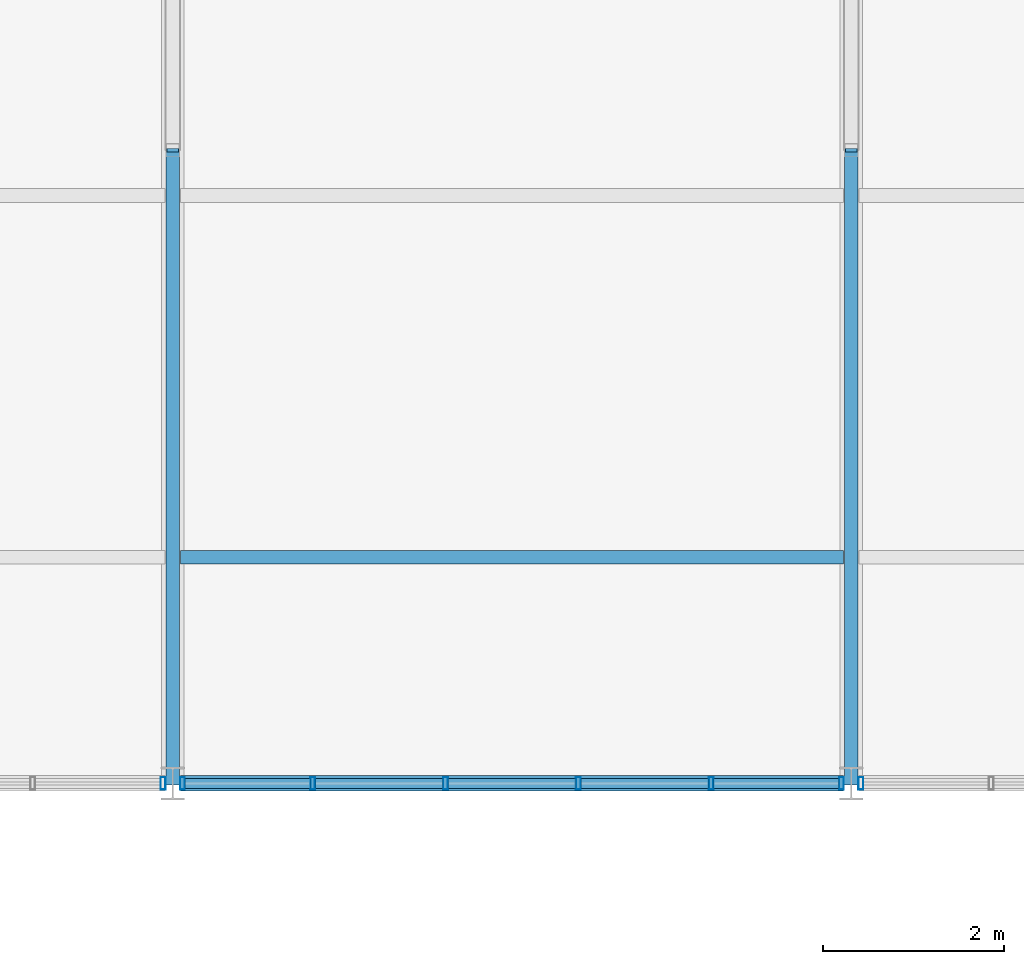
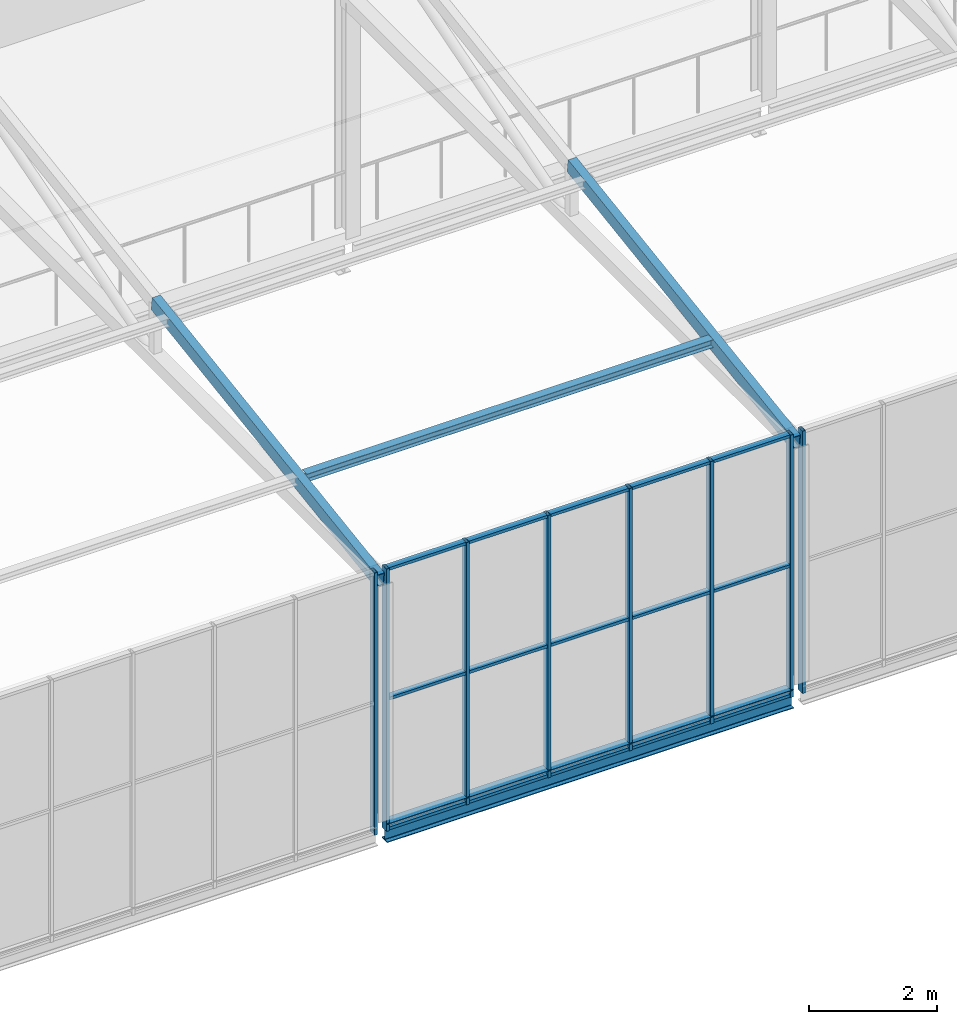
# One storey, part 35 of 104: 25 members, 2 beams, 3 elements without a shape of their own.
"""IFC4 building model written with IfcOpenShell, lengths in metres."""

from ifc_helpers import new_model, si_unit, direction, frame, origin, origin_2d, place, context, subcontext, project, spatial, hollow_rectangle, i_section, extrude, material, layer, layer_set, material_profile, profile_set, type_object, element, aggregate, save


model = new_model("IFC4")

# Units and contexts
model_context = context("Model", 3, precision=1e-05, world=origin(), true_north=direction((0.0, 1.0)))
body_context = subcontext(model_context, "Body", "Model", "MODEL_VIEW")
ifc_project = project(units=[si_unit("LENGTHUNIT", "METRE"), si_unit("AREAUNIT", "SQUARE_METRE"), si_unit("VOLUMEUNIT", "CUBIC_METRE"), si_unit("PLANEANGLEUNIT", "RADIAN"), si_unit("MASSUNIT", "GRAM", prefix="KILO")], contexts=[model_context])

# Site, building, storey
site_placement = place(None, origin())
site = spatial("IfcSite", under=ifc_project, at=site_placement, CompositionType="ELEMENT")
building_placement = place(site_placement, origin())
building = spatial("IfcBuilding", under=site, at=building_placement, Name="Solvenia Promenade Tram Depot", CompositionType="ELEMENT")
storey_placement = place(building_placement, frame((0.0, 0.0, 9.0)))
storey = spatial("IfcBuildingStorey", under=building, at=storey_placement, Name="L02", CompositionType="ELEMENT", Elevation=9.0)

# Curtain wall, member
ifc_material_1 = material(Name="Anodized aluminium AW-6063 T6", Category="aluminium")
ifc_layer = layer(ifc_material_1, 0.080078125, Name="Anodized aluminium AW-6063 T6", Category="aluminium")
ifc_layer_set = layer_set([ifc_layer], Name="Anodized aluminium AW-6063 T6")
curtain_wall_type = type_object("IfcCurtainWallType", Name="CW-Clerest-1500", PredefinedType="NOTDEFINED", material=ifc_layer_set)
curtain_wall_1_placement = place(storey_placement, origin())
curtain_wall_1 = element("IfcCurtainWall", 1, at=curtain_wall_1_placement, inside=storey, type_object=curtain_wall_type, Name="Curtain Wall CW-V2S-L2-02", PredefinedType="NOTDEFINED")
ifc_material_profile_1 = material_profile(ifc_material_1, hollow_rectangle(XDim=0.139892578125, YDim=0.054931640625, WallThickness=0.00390625, at=origin_2d()), Name="ALU-M4", Category="aluminium")
ifc_profile_set_1 = profile_set([ifc_material_profile_1], Name="Anodized aluminium AW-6063 T6")
member_type_1 = type_object("IfcMemberType", Name="CWM-Mullion-4", PredefinedType="MULLION", material=ifc_profile_set_1)
member_1_placement = place(storey_placement, frame((119.892578125, 24.0, -0.300048828125), z_axis=(0.0, 0.0, 1.0), x_axis=(0.0, 1.0, 0.0)))
member_1 = element("IfcMember", 2, at=member_1_placement, type_object=member_type_1, Name="CW-4 mullion 6", PredefinedType="MULLION", context=body_context, shape_type="SweptSolid", body=[
    extrude(hollow_rectangle(XDim=0.139892578125, YDim=0.054931640625, WallThickness=0.00390625, at=origin_2d()), origin(), (0.0, 0.0, 1.0), 5.0),
])
aggregate(curtain_wall_1, [member_1])

# Curtain wall, members
curtain_wall_2_placement = place(storey_placement, origin())
curtain_wall_2 = element("IfcCurtainWall", 3, at=curtain_wall_2_placement, inside=storey, type_object=curtain_wall_type, Name="Curtain Wall CW-V2S-L2-03", PredefinedType="NOTDEFINED")
member_2_placement = place(storey_placement, frame((120.107421875, 24.0, -0.300048828125), z_axis=(0.0, 0.0, 1.0), x_axis=(0.0, 1.0, 0.0)))
member_2 = element("IfcMember", 4, at=member_2_placement, type_object=member_type_1, Name="CW-4 mullion 1", PredefinedType="MULLION", context=body_context, shape_type="SweptSolid", body=[
    extrude(hollow_rectangle(XDim=0.139892578125, YDim=0.054931640625, WallThickness=0.00390625, at=origin_2d()), origin(), (0.0, 0.0, 1.0), 5.0),
])
member_3_placement = place(storey_placement, frame((121.548095703125, 24.0, -0.300048828125), z_axis=(0.0, 0.0, 1.0), x_axis=(0.0, 1.0, 0.0)))
member_3 = element("IfcMember", 5, at=member_3_placement, type_object=member_type_1, Name="CW-4 mullion 2", PredefinedType="MULLION", context=body_context, shape_type="SweptSolid", body=[
    extrude(hollow_rectangle(XDim=0.139892578125, YDim=0.054931640625, WallThickness=0.00390625, at=origin_2d()), origin(), (0.0, 0.0, 1.0), 5.0),
])
member_4_placement = place(storey_placement, frame((123.01611328125, 24.0, -0.300048828125), z_axis=(0.0, 0.0, 1.0), x_axis=(0.0, 1.0, 0.0)))
member_4 = element("IfcMember", 6, at=member_4_placement, type_object=member_type_1, Name="CW-4 mullion 3", PredefinedType="MULLION", context=body_context, shape_type="SweptSolid", body=[
    extrude(hollow_rectangle(XDim=0.139892578125, YDim=0.054931640625, WallThickness=0.00390625, at=origin_2d()), origin(), (0.0, 0.0, 1.0), 5.0),
])
member_5_placement = place(storey_placement, frame((124.48388671875, 24.0, -0.300048828125), z_axis=(0.0, 0.0, 1.0), x_axis=(0.0, 1.0, 0.0)))
member_5 = element("IfcMember", 7, at=member_5_placement, type_object=member_type_1, Name="CW-4 mullion 4", PredefinedType="MULLION", context=body_context, shape_type="SweptSolid", body=[
    extrude(hollow_rectangle(XDim=0.139892578125, YDim=0.054931640625, WallThickness=0.00390625, at=origin_2d()), origin(), (0.0, 0.0, 1.0), 5.0),
])
member_6_placement = place(storey_placement, frame((125.951904296875, 24.0, -0.300048828125), z_axis=(0.0, 0.0, 1.0), x_axis=(0.0, 1.0, 0.0)))
member_6 = element("IfcMember", 8, at=member_6_placement, type_object=member_type_1, Name="CW-4 mullion 5", PredefinedType="MULLION", context=body_context, shape_type="SweptSolid", body=[
    extrude(hollow_rectangle(XDim=0.139892578125, YDim=0.054931640625, WallThickness=0.00390625, at=origin_2d()), origin(), (0.0, 0.0, 1.0), 5.0),
])
member_7_placement = place(storey_placement, frame((127.392578125, 24.0, -0.300048828125), z_axis=(0.0, 0.0, 1.0), x_axis=(0.0, 1.0, 0.0)))
member_7 = element("IfcMember", 9, at=member_7_placement, type_object=member_type_1, Name="CW-4 mullion 6", PredefinedType="MULLION", context=body_context, shape_type="SweptSolid", body=[
    extrude(hollow_rectangle(XDim=0.139892578125, YDim=0.054931640625, WallThickness=0.00390625, at=origin_2d()), origin(), (0.0, 0.0, 1.0), 5.0),
])

# Curtain wall, member
curtain_wall_3_placement = place(storey_placement, origin())
curtain_wall_3 = element("IfcCurtainWall", 10, at=curtain_wall_3_placement, inside=storey, type_object=curtain_wall_type, Name="Curtain Wall CW-V2S-L2-04", PredefinedType="NOTDEFINED")
member_8_placement = place(storey_placement, frame((127.607421875, 24.0, -0.300048828125), z_axis=(0.0, 0.0, 1.0), x_axis=(0.0, 1.0, 0.0)))
member_8 = element("IfcMember", 11, at=member_8_placement, type_object=member_type_1, Name="CW-4 mullion 1", PredefinedType="MULLION", context=body_context, shape_type="SweptSolid", body=[
    extrude(hollow_rectangle(XDim=0.139892578125, YDim=0.054931640625, WallThickness=0.00390625, at=origin_2d()), origin(), (0.0, 0.0, 1.0), 5.0),
])
aggregate(curtain_wall_3, [member_8])

# Member
ifc_material_profile_2 = material_profile(ifc_material_1, hollow_rectangle(XDim=0.110107421875, YDim=0.054931640625, WallThickness=0.00390625, at=origin_2d()), Name="ALU-T4", Category="aluminium")
ifc_profile_set_2 = profile_set([ifc_material_profile_2], Name="Anodized aluminium AW-6063 T6")
member_type_2 = type_object("IfcMemberType", Name="CWT-Transom-4", PredefinedType="USERDEFINED", material=ifc_profile_set_2)
member_9_placement = place(storey_placement, frame((120.135009765625, 24.0, -0.2724609375), z_axis=(1.0, 0.0, 0.0), x_axis=(0.0, 1.0, 0.0)))
member_9 = element("IfcMember", 12, at=member_9_placement, type_object=member_type_2, Name="CW-4 transom 1.1", ObjectType="TRANSOM", PredefinedType="USERDEFINED", context=body_context, shape_type="SweptSolid", body=[
    extrude(hollow_rectangle(XDim=0.110107421875, YDim=0.054931640625, WallThickness=0.00390625, at=origin_2d()), origin(), (0.0, 0.0, 1.0), 1.385498046875),
])

member_10_placement = place(storey_placement, frame((120.135009765625, 24.0, 2.199951171875), z_axis=(1.0, 0.0, 0.0), x_axis=(0.0, 1.0, 0.0)))
member_10 = element("IfcMember", 13, at=member_10_placement, type_object=member_type_2, Name="CW-4 transom 1.2", ObjectType="TRANSOM", PredefinedType="USERDEFINED", context=body_context, shape_type="SweptSolid", body=[
    extrude(hollow_rectangle(XDim=0.110107421875, YDim=0.054931640625, WallThickness=0.00390625, at=origin_2d()), origin(), (0.0, 0.0, 1.0), 1.385498046875),
])

member_11_placement = place(storey_placement, frame((120.135009765625, 24.0, 4.672607421875), z_axis=(1.0, 0.0, 0.0), x_axis=(0.0, 1.0, 0.0)))
member_11 = element("IfcMember", 14, at=member_11_placement, type_object=member_type_2, Name="CW-4 transom 1.3", ObjectType="TRANSOM", PredefinedType="USERDEFINED", context=body_context, shape_type="SweptSolid", body=[
    extrude(hollow_rectangle(XDim=0.110107421875, YDim=0.054931640625, WallThickness=0.00390625, at=origin_2d()), origin(), (0.0, 0.0, 1.0), 1.385498046875),
])

member_12_placement = place(storey_placement, frame((121.575439453125, 24.0, -0.2724609375), z_axis=(1.0, 0.0, 0.0), x_axis=(0.0, 1.0, 0.0)))
member_12 = element("IfcMember", 15, at=member_12_placement, type_object=member_type_2, Name="CW-4 transom 2.1", ObjectType="TRANSOM", PredefinedType="USERDEFINED", context=body_context, shape_type="SweptSolid", body=[
    extrude(hollow_rectangle(XDim=0.110107421875, YDim=0.054931640625, WallThickness=0.00390625, at=origin_2d()), origin(), (0.0, 0.0, 1.0), 1.4130859375),
])

member_13_placement = place(storey_placement, frame((121.575439453125, 24.0, 2.199951171875), z_axis=(1.0, 0.0, 0.0), x_axis=(0.0, 1.0, 0.0)))
member_13 = element("IfcMember", 16, at=member_13_placement, type_object=member_type_2, Name="CW-4 transom 2.2", ObjectType="TRANSOM", PredefinedType="USERDEFINED", context=body_context, shape_type="SweptSolid", body=[
    extrude(hollow_rectangle(XDim=0.110107421875, YDim=0.054931640625, WallThickness=0.00390625, at=origin_2d()), origin(), (0.0, 0.0, 1.0), 1.4130859375),
])

member_14_placement = place(storey_placement, frame((121.575439453125, 24.0, 4.672607421875), z_axis=(1.0, 0.0, 0.0), x_axis=(0.0, 1.0, 0.0)))
member_14 = element("IfcMember", 17, at=member_14_placement, type_object=member_type_2, Name="CW-4 transom 2.3", ObjectType="TRANSOM", PredefinedType="USERDEFINED", context=body_context, shape_type="SweptSolid", body=[
    extrude(hollow_rectangle(XDim=0.110107421875, YDim=0.054931640625, WallThickness=0.00390625, at=origin_2d()), origin(), (0.0, 0.0, 1.0), 1.4130859375),
])

member_15_placement = place(storey_placement, frame((123.04345703125, 24.0, -0.2724609375), z_axis=(1.0, 0.0, 0.0), x_axis=(0.0, 1.0, 0.0)))
member_15 = element("IfcMember", 18, at=member_15_placement, type_object=member_type_2, Name="CW-4 transom 3.1", ObjectType="TRANSOM", PredefinedType="USERDEFINED", context=body_context, shape_type="SweptSolid", body=[
    extrude(hollow_rectangle(XDim=0.110107421875, YDim=0.054931640625, WallThickness=0.00390625, at=origin_2d()), origin(), (0.0, 0.0, 1.0), 1.4130859375),
])

member_16_placement = place(storey_placement, frame((123.04345703125, 24.0, 2.199951171875), z_axis=(1.0, 0.0, 0.0), x_axis=(0.0, 1.0, 0.0)))
member_16 = element("IfcMember", 19, at=member_16_placement, type_object=member_type_2, Name="CW-4 transom 3.2", ObjectType="TRANSOM", PredefinedType="USERDEFINED", context=body_context, shape_type="SweptSolid", body=[
    extrude(hollow_rectangle(XDim=0.110107421875, YDim=0.054931640625, WallThickness=0.00390625, at=origin_2d()), origin(), (0.0, 0.0, 1.0), 1.4130859375),
])

member_17_placement = place(storey_placement, frame((123.04345703125, 24.0, 4.672607421875), z_axis=(1.0, 0.0, 0.0), x_axis=(0.0, 1.0, 0.0)))
member_17 = element("IfcMember", 20, at=member_17_placement, type_object=member_type_2, Name="CW-4 transom 3.3", ObjectType="TRANSOM", PredefinedType="USERDEFINED", context=body_context, shape_type="SweptSolid", body=[
    extrude(hollow_rectangle(XDim=0.110107421875, YDim=0.054931640625, WallThickness=0.00390625, at=origin_2d()), origin(), (0.0, 0.0, 1.0), 1.4130859375),
])

member_18_placement = place(storey_placement, frame((124.511474609375, 24.0, -0.2724609375), z_axis=(1.0, 0.0, 0.0), x_axis=(0.0, 1.0, 0.0)))
member_18 = element("IfcMember", 21, at=member_18_placement, type_object=member_type_2, Name="CW-4 transom 4.1", ObjectType="TRANSOM", PredefinedType="USERDEFINED", context=body_context, shape_type="SweptSolid", body=[
    extrude(hollow_rectangle(XDim=0.110107421875, YDim=0.054931640625, WallThickness=0.00390625, at=origin_2d()), origin(), (0.0, 0.0, 1.0), 1.4130859375),
])

member_19_placement = place(storey_placement, frame((124.511474609375, 24.0, 2.199951171875), z_axis=(1.0, 0.0, 0.0), x_axis=(0.0, 1.0, 0.0)))
member_19 = element("IfcMember", 22, at=member_19_placement, type_object=member_type_2, Name="CW-4 transom 4.2", ObjectType="TRANSOM", PredefinedType="USERDEFINED", context=body_context, shape_type="SweptSolid", body=[
    extrude(hollow_rectangle(XDim=0.110107421875, YDim=0.054931640625, WallThickness=0.00390625, at=origin_2d()), origin(), (0.0, 0.0, 1.0), 1.4130859375),
])

member_20_placement = place(storey_placement, frame((124.511474609375, 24.0, 4.672607421875), z_axis=(1.0, 0.0, 0.0), x_axis=(0.0, 1.0, 0.0)))
member_20 = element("IfcMember", 23, at=member_20_placement, type_object=member_type_2, Name="CW-4 transom 4.3", ObjectType="TRANSOM", PredefinedType="USERDEFINED", context=body_context, shape_type="SweptSolid", body=[
    extrude(hollow_rectangle(XDim=0.110107421875, YDim=0.054931640625, WallThickness=0.00390625, at=origin_2d()), origin(), (0.0, 0.0, 1.0), 1.4130859375),
])

member_21_placement = place(storey_placement, frame((125.9794921875, 24.0, -0.2724609375), z_axis=(1.0, 0.0, 0.0), x_axis=(0.0, 1.0, 0.0)))
member_21 = element("IfcMember", 24, at=member_21_placement, type_object=member_type_2, Name="CW-4 transom 5.1", ObjectType="TRANSOM", PredefinedType="USERDEFINED", context=body_context, shape_type="SweptSolid", body=[
    extrude(hollow_rectangle(XDim=0.110107421875, YDim=0.054931640625, WallThickness=0.00390625, at=origin_2d()), origin(), (0.0, 0.0, 1.0), 1.385498046875),
])

member_22_placement = place(storey_placement, frame((125.9794921875, 24.0, 2.199951171875), z_axis=(1.0, 0.0, 0.0), x_axis=(0.0, 1.0, 0.0)))
member_22 = element("IfcMember", 25, at=member_22_placement, type_object=member_type_2, Name="CW-4 transom 5.2", ObjectType="TRANSOM", PredefinedType="USERDEFINED", context=body_context, shape_type="SweptSolid", body=[
    extrude(hollow_rectangle(XDim=0.110107421875, YDim=0.054931640625, WallThickness=0.00390625, at=origin_2d()), origin(), (0.0, 0.0, 1.0), 1.385498046875),
])

member_23_placement = place(storey_placement, frame((125.9794921875, 24.0, 4.672607421875), z_axis=(1.0, 0.0, 0.0), x_axis=(0.0, 1.0, 0.0)))
member_23 = element("IfcMember", 26, at=member_23_placement, type_object=member_type_2, Name="CW-4 transom 5.3", ObjectType="TRANSOM", PredefinedType="USERDEFINED", context=body_context, shape_type="SweptSolid", body=[
    extrude(hollow_rectangle(XDim=0.110107421875, YDim=0.054931640625, WallThickness=0.00390625, at=origin_2d()), origin(), (0.0, 0.0, 1.0), 1.385498046875),
])

aggregate(curtain_wall_2, [member_2, member_3, member_4, member_5, member_6, member_7, member_9, member_10, member_11, member_12, member_13, member_14, member_15, member_16, member_17, member_18, member_19, member_20, member_21, member_22, member_23])

# Members
ifc_material_2 = material(Name="Structural steel ASTM A500 Gr. C", Category="steel")
ifc_material_profile_3 = material_profile(ifc_material_2, hollow_rectangle(XDim=0.14990234375, YDim=0.25, WallThickness=0.010009765625, at=origin_2d()), Name="HSS250x150x10", Category="steel")
ifc_profile_set_3 = profile_set([ifc_material_profile_3], Name="Structural steel ASTM A500 Gr. C")
member_type_3 = type_object("IfcMemberType", Name="Chord-HSS250x150x10", PredefinedType="CHORD", material=ifc_profile_set_3)
for number, where, z_axis, x_axis, name in (
    (27, (120.0, 24.0, 4.47998046875), (0.0, 0.988935340875, 0.148347199397), (-1.0, 0.0, 0.0), "Crane Hall Clerestory Rafter 03S"),
    (28, (127.5, 24.0, 4.47998046875), (0.0, 0.988935340875, 0.148347199397), (-1.0, 0.0, 0.0), "Crane Hall Clerestory Rafter 04S"),
):
    element("IfcMember", number, at=place(storey_placement, frame(where, z_axis=z_axis, x_axis=x_axis)), inside=storey, type_object=member_type_3, Name=name, PredefinedType="CHORD", context=body_context, shape_type="SweptSolid", body=[
        extrude(hollow_rectangle(XDim=0.14990234375, YDim=0.25, WallThickness=0.010009765625, at=origin_2d()), origin(), (0.0, 0.0, 1.0), 7.078369140625),
    ])

# Beams
ifc_material_3 = material(Name="Structural steel ASTM A992 Gr. 50", Category="steel")
ifc_material_profile_4 = material_profile(ifc_material_3, i_section(OverallWidth=0.152099609375, OverallDepth=0.152099609375, WebThickness=0.005859375, FlangeThickness=0.006591796875, FilletRadius=0.008056640625, at=origin_2d()), Name="W150x22", Category="steel")
ifc_profile_set_4 = profile_set([ifc_material_profile_4], Name="Structural steel ASTM A992 Gr. 50")
beam_type_1 = type_object("IfcBeamType", Name="Purlin-W150x22", PredefinedType="USERDEFINED", material=ifc_profile_set_4)
beam_1_placement = place(storey_placement, frame((120.0849609375, 26.5, 4.919921875), z_axis=(1.0, 0.0, 0.0), x_axis=(0.0, 1.0, 0.0)))
element("IfcBeam", 29, at=beam_1_placement, inside=storey, type_object=beam_type_1, Name="Clerestory Purlin 0205", ObjectType="PURLIN", PredefinedType="USERDEFINED", context=body_context, shape_type="SweptSolid", body=[
    extrude(i_section(OverallWidth=0.152099609375, OverallDepth=0.152099609375, WebThickness=0.005859375, FlangeThickness=0.006591796875, FilletRadius=0.008056640625, at=origin_2d()), origin(), (0.0, 0.0, 1.0), 7.330078125),
])
ifc_material_profile_5 = material_profile(ifc_material_3, i_section(OverallWidth=0.172119140625, OverallDepth=0.35791015625, WebThickness=0.0078125, FlangeThickness=0.01318359375, FilletRadius=0.010986328125, at=origin_2d()), Name="W360x57", Category="steel")
ifc_profile_set_5 = profile_set([ifc_material_profile_5], Name="Structural steel ASTM A992 Gr. 50")
beam_type_2 = type_object("IfcBeamType", Name="Spandrel-W360x57", PredefinedType="SPANDREL", material=ifc_profile_set_5)
beam_2_placement = place(storey_placement, frame((120.0849609375, 24.0, -0.3291015625), z_axis=(1.0, 0.0, 0.0), x_axis=(0.0, 1.0, 0.0)))
element("IfcBeam", 30, at=beam_2_placement, inside=storey, type_object=beam_type_2, Name="Crane Hall L02 Facade Girt BM-L02-0993", PredefinedType="SPANDREL", context=body_context, shape_type="SweptSolid", body=[
    extrude(i_section(OverallWidth=0.172119140625, OverallDepth=0.35791015625, WebThickness=0.0078125, FlangeThickness=0.01318359375, FilletRadius=0.010986328125, at=origin_2d()), origin(), (0.0, 0.0, 1.0), 7.330078125),
])

save(model, "model.ifc")
